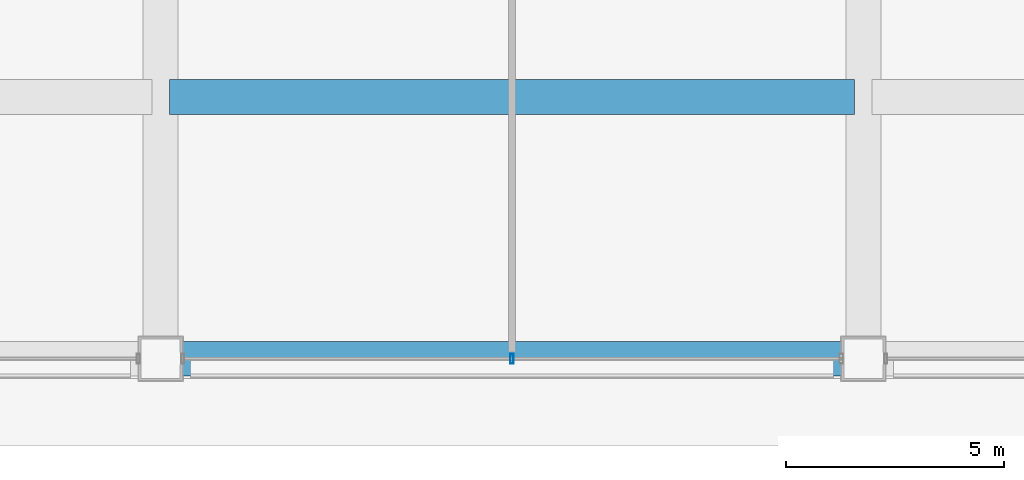
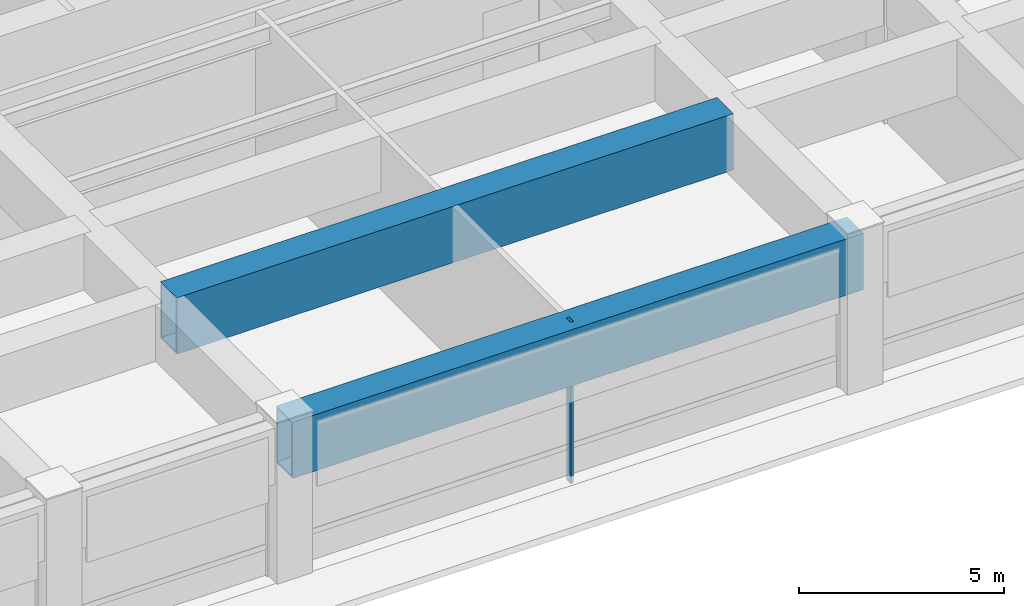
# One storey, part 5 of 30: 2 beams, 1 member, 1 element without a shape of its own.
"""IFC4 building model written with IfcOpenShell, lengths in metres."""

from ifc_helpers import new_model, si_unit, direction, frame, origin, origin_2d, place, context, subcontext, project, spatial, hollow_rectangle, extrude, material, layer, layer_set, material_profile, profile_set, type_object, element, aggregate, save


model = new_model("IFC4")

# Units and contexts
model_context = context("Model", 3, precision=1e-05, world=origin(), true_north=direction((0.0, 1.0)))
body_context = subcontext(model_context, "Body", "Model", "MODEL_VIEW")
ifc_project = project(units=[si_unit("LENGTHUNIT", "METRE"), si_unit("AREAUNIT", "SQUARE_METRE"), si_unit("VOLUMEUNIT", "CUBIC_METRE"), si_unit("PLANEANGLEUNIT", "RADIAN"), si_unit("MASSUNIT", "GRAM", prefix="KILO")], contexts=[model_context])

# Site, building, storey
site_placement = place(None, origin())
site = spatial("IfcSite", under=ifc_project, at=site_placement, CompositionType="ELEMENT")
building_placement = place(site_placement, origin())
building = spatial("IfcBuilding", under=site, at=building_placement, Name="Brelmoor Portico Tower", CompositionType="ELEMENT")
storey_placement = place(building_placement, frame((0.0, 0.0, 19.199951171875)))
storey = spatial("IfcBuildingStorey", under=building, at=storey_placement, Name="L04", CompositionType="ELEMENT", Elevation=19.199951171875)

# Beams
ifc_material_1 = material(Name="Steel Q355B", Category="steel")
ifc_material_profile_1 = material_profile(ifc_material_1, hollow_rectangle(XDim=0.800048828125, YDim=1.679931640625, WallThickness=0.044921875, at=origin_2d()), Name="BOX 800x1680x45")
ifc_profile_set_1 = profile_set([ifc_material_profile_1], Name="Steel Q355B")
beam_type = type_object("IfcBeamType", Name="BM-TG-Z1", PredefinedType="BEAM", material=ifc_profile_set_1)
beam_1_placement = place(storey_placement, frame((-8.050048828125, -27.550048828125, 3.760009765625), z_axis=(1.0, 0.0, 0.0), x_axis=(0.0, 1.0, 0.0)))
element("IfcBeam", 1, at=beam_1_placement, inside=storey, type_object=beam_type, Name="L04 Perimeter Transfer Beam SP-04", PredefinedType="BEAM", context=body_context, shape_type="SweptSolid", body=[
    extrude(hollow_rectangle(XDim=0.800048828125, YDim=1.679931640625, WallThickness=0.044921875, at=origin_2d()), origin(), (0.0, 0.0, 1.0), 16.10009765625),
])
beam_2_placement = place(storey_placement, frame((-7.85009765625, -21.550048828125, 3.760009765625), z_axis=(1.0, 0.0, 0.0), x_axis=(0.0, 1.0, 0.0)))
element("IfcBeam", 2, at=beam_2_placement, inside=storey, type_object=beam_type, Name="L04 Setback Transfer Girder TGN-04", PredefinedType="BEAM", context=body_context, shape_type="SweptSolid", body=[
    extrude(hollow_rectangle(XDim=0.800048828125, YDim=1.679931640625, WallThickness=0.044921875, at=origin_2d()), origin(), (0.0, 0.0, 1.0), 15.7001953125),
])

# Curtain wall, member
ifc_material_2 = material(Name="Anodised Aluminium Alloy 6063-T6", Category="aluminium")
ifc_layer = layer(ifc_material_2, 0.179931640625)
ifc_layer_set = layer_set([ifc_layer], Name="Anodised Aluminium Alloy 6063-T6")
curtain_wall_type = type_object("IfcCurtainWallType", Name="CW-PODIUM-ARCH", PredefinedType="NOTDEFINED", material=ifc_layer_set)
curtain_wall_placement = place(storey_placement, origin())
curtain_wall = element("IfcCurtainWall", 3, at=curtain_wall_placement, inside=storey, type_object=curtain_wall_type, Name="L04 Curtain Wall CW-L04-01-4", PredefinedType="NOTDEFINED")
ifc_material_profile_2 = material_profile(ifc_material_2, hollow_rectangle(XDim=0.074951171875, YDim=0.219970703125, WallThickness=0.0048828125, at=origin_2d()), Name="ALU MULLION 75x220")
ifc_profile_set_2 = profile_set([ifc_material_profile_2], Name="Anodised Aluminium Alloy 6063-T6")
member_type = type_object("IfcMemberType", Name="MB-CW-MULL-220", PredefinedType="MULLION", material=ifc_profile_set_2)
member_placement = place(storey_placement, frame((0.0, -27.550048828125, -0.219970703125), z_axis=(0.0, 0.0, 1.0), x_axis=(1.0, 0.0, 0.0)))
member = element("IfcMember", 4, at=member_placement, type_object=member_type, Name="CW-L04-01-4 Mullion 01", PredefinedType="MULLION", context=body_context, shape_type="SweptSolid", body=[
    extrude(hollow_rectangle(XDim=0.074951171875, YDim=0.219970703125, WallThickness=0.0048828125, at=origin_2d()), origin(), (0.0, 0.0, 1.0), 4.820068359375),
])
aggregate(curtain_wall, [member])

save(model, "model.ifc")
